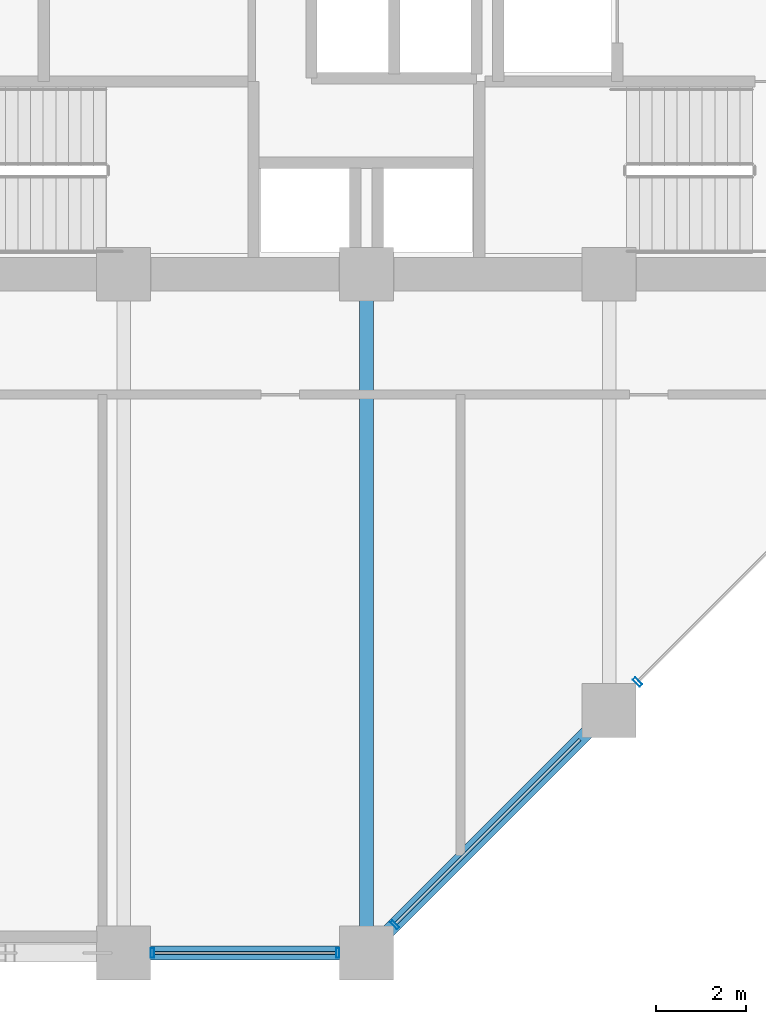
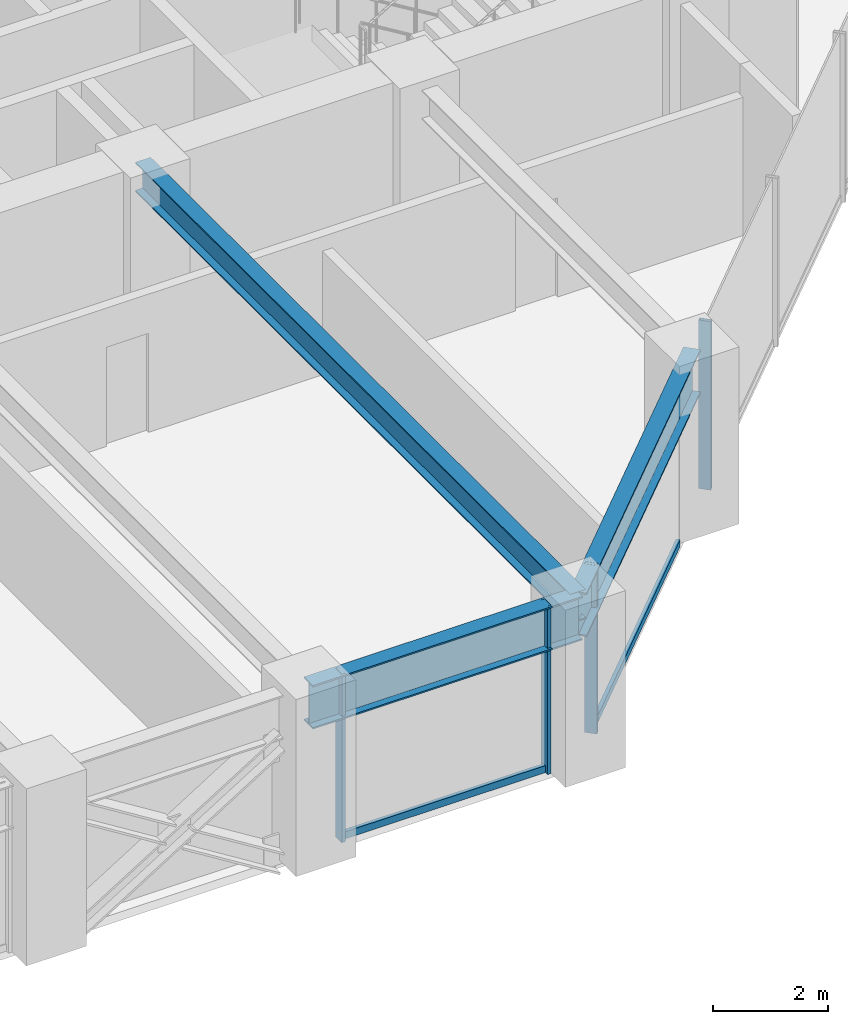
# One storey, part 7 of 28: 6 members, 3 beams, 2 elements without a shape of their own.
"""IFC4 building model written with IfcOpenShell, lengths in metres."""

from ifc_helpers import new_model, si_unit, direction, frame, origin, origin_2d, place, context, subcontext, project, spatial, hollow_rectangle, i_section, extrude, material, layer, layer_set, material_profile, profile_set, type_object, element, aggregate, save


model = new_model("IFC4")

# Units and contexts
model_context = context("Model", 3, precision=1e-05, world=origin(), true_north=direction((0.0, 1.0)))
body_context = subcontext(model_context, "Body", "Model", "MODEL_VIEW")
ifc_project = project(units=[si_unit("LENGTHUNIT", "METRE"), si_unit("AREAUNIT", "SQUARE_METRE"), si_unit("VOLUMEUNIT", "CUBIC_METRE"), si_unit("PLANEANGLEUNIT", "RADIAN"), si_unit("MASSUNIT", "GRAM", prefix="KILO")], contexts=[model_context])

# Site, building, storey
site_placement = place(None, origin())
site = spatial("IfcSite", under=ifc_project, at=site_placement, CompositionType="ELEMENT")
building_placement = place(site_placement, origin())
building = spatial("IfcBuilding", under=site, at=building_placement, Name="Surkhivell Harbour Commons", CompositionType="ELEMENT")
storey_placement = place(building_placement, frame((0.0, 0.0, 67.5)))
storey = spatial("IfcBuildingStorey", under=building, at=storey_placement, Name="L17", CompositionType="ELEMENT", Elevation=67.5)

# Beams
ifc_material_1 = material(Name="Steel S355", Category="steel")
ifc_material_profile_1 = material_profile(ifc_material_1, i_section(OverallWidth=0.306884765625, OverallDepth=0.6201171875, WebThickness=0.01416015625, FlangeThickness=0.023681640625, at=origin_2d()), Name="UB610x305x179")
ifc_profile_set_1 = profile_set([ifc_material_profile_1], Name="Steel S355")
beam_type_1 = type_object("IfcBeamType", Name="BM-GRD-610A", PredefinedType="BEAM", material=ifc_profile_set_1)
beam_1_placement = place(storey_placement, frame((0.0, -25.89990234375, 3.260009765625), z_axis=(0.0, 1.0, 0.0), x_axis=(-1.0, 0.0, 0.0)))
element("IfcBeam", 1, at=beam_1_placement, inside=storey, type_object=beam_type_1, Name="L17 Floor Girder (0.0,-25.9)", PredefinedType="BEAM", context=body_context, shape_type="SweptSolid", body=[
    extrude(i_section(OverallWidth=0.306884765625, OverallDepth=0.6201171875, WebThickness=0.01416015625, FlangeThickness=0.023681640625, at=origin_2d()), origin(), (0.0, 0.0, 1.0), 15.099853515625),
])
ifc_material_2 = material(Name="Steel S460", Category="steel")
ifc_material_profile_2 = material_profile(ifc_material_2, i_section(OverallWidth=0.30810546875, OverallDepth=0.927001953125, WebThickness=0.01953125, FlangeThickness=0.031982421875, at=origin_2d()), Name="UB914x305x289")
ifc_profile_set_2 = profile_set([ifc_material_profile_2], Name="Steel S460")
beam_type_2 = type_object("IfcBeamType", Name="BM-SPN-914B", PredefinedType="SPANDREL", material=ifc_profile_set_2)
beam_2_placement = place(storey_placement, frame((-5.39990234375, -25.89990234375, 3.1064453125), z_axis=(1.0, 0.0, 0.0), x_axis=(0.0, 1.0, 0.0)))
element("IfcBeam", 2, at=beam_2_placement, inside=storey, type_object=beam_type_2, Name="L17 Tube Spandrel (-5.4,-25.9)", PredefinedType="SPANDREL", context=body_context, shape_type="SweptSolid", body=[
    extrude(i_section(OverallWidth=0.30810546875, OverallDepth=0.927001953125, WebThickness=0.01953125, FlangeThickness=0.031982421875, at=origin_2d()), origin(), (0.0, 0.0, 1.0), 5.39990234375),
])
beam_3_placement = place(storey_placement, frame((0.0, -25.89990234375, 3.1064453125), z_axis=(0.707106781187, 0.707106781187, 0.0), x_axis=(-0.707106781187, 0.707106781187, 0.0)))
element("IfcBeam", 3, at=beam_3_placement, inside=storey, type_object=beam_type_2, Name="L17 Tube Spandrel (-0.0,-25.9)", PredefinedType="SPANDREL", context=body_context, shape_type="SweptSolid", body=[
    extrude(i_section(OverallWidth=0.30810546875, OverallDepth=0.927001953125, WebThickness=0.01953125, FlangeThickness=0.031982421875, at=origin_2d()), origin(), (0.0, 0.0, 1.0), 7.63671875),
])

# Curtain wall, members
ifc_material_3 = material(Name="Anodised pale-metal aluminium and insulated glazing", Category="aluminium")
ifc_layer = layer(ifc_material_3, 0.219970703125)
ifc_layer_set = layer_set([ifc_layer], Name="Anodised pale-metal aluminium and insulated glazing")
curtain_wall_type = type_object("IfcCurtainWallType", Name="CW-SYS-Z1", PredefinedType="NOTDEFINED", material=ifc_layer_set)
curtain_wall_1_placement = place(storey_placement, origin())
curtain_wall_1 = element("IfcCurtainWall", 4, at=curtain_wall_1_placement, inside=storey, type_object=curtain_wall_type, Name="L17 Curtain Wall CW-L17-E00S2", PredefinedType="NOTDEFINED")
ifc_material_4 = material(Name="Anodised pale-metal aluminium alloy 6063-T6", Category="aluminium")
ifc_material_profile_3 = material_profile(ifc_material_4, hollow_rectangle(XDim=0.074951171875, YDim=0.219970703125, WallThickness=0.00390625, at=origin_2d()), Name="ALU-MULL-75x220")
ifc_profile_set_3 = profile_set([ifc_material_profile_3], Name="Anodised pale-metal aluminium alloy 6063-T6")
member_type_1 = type_object("IfcMemberType", Name="CWM-220", PredefinedType="MULLION", material=ifc_profile_set_3)
member_1_placement = place(storey_placement, frame((-4.760498046875, -25.89990234375, 0.0), z_axis=(0.0, 0.0, 1.0), x_axis=(1.0, 0.0, 0.0)))
member_1 = element("IfcMember", 5, at=member_1_placement, type_object=member_type_1, Name="CW-Z1 mullion 1", PredefinedType="MULLION", context=body_context, shape_type="SweptSolid", body=[
    extrude(hollow_rectangle(XDim=0.074951171875, YDim=0.219970703125, WallThickness=0.00390625, at=origin_2d()), origin(), (0.0, 0.0, 1.0), 3.570068359375),
])
member_2_placement = place(storey_placement, frame((-0.639404296875, -25.89990234375, 0.0), z_axis=(0.0, 0.0, 1.0), x_axis=(1.0, 0.0, 0.0)))
member_2 = element("IfcMember", 6, at=member_2_placement, type_object=member_type_1, Name="CW-Z1 mullion 2", PredefinedType="MULLION", context=body_context, shape_type="SweptSolid", body=[
    extrude(hollow_rectangle(XDim=0.074951171875, YDim=0.219970703125, WallThickness=0.00390625, at=origin_2d()), origin(), (0.0, 0.0, 1.0), 3.570068359375),
])

curtain_wall_2_placement = place(storey_placement, origin())
curtain_wall_2 = element("IfcCurtainWall", 7, at=curtain_wall_2_placement, inside=storey, type_object=curtain_wall_type, Name="L17 Curtain Wall CW-L17-E01", PredefinedType="NOTDEFINED")
member_3_placement = place(storey_placement, frame((0.628173828125, -25.271728515625, 0.0), z_axis=(0.0, 0.0, 1.0), x_axis=(0.707106781187, 0.707106781187, 0.0)))
member_3 = element("IfcMember", 8, at=member_3_placement, type_object=member_type_1, Name="CW-Z1 mullion 1", PredefinedType="MULLION", context=body_context, shape_type="SweptSolid", body=[
    extrude(hollow_rectangle(XDim=0.074951171875, YDim=0.219970703125, WallThickness=0.00390625, at=origin_2d()), origin(), (0.0, 0.0, 1.0), 3.570068359375),
])
member_4_placement = place(storey_placement, frame((6.0283203125, -19.871826171875, 0.0), z_axis=(0.0, 0.0, 1.0), x_axis=(0.707106781187, 0.707106781187, 0.0)))
member_4 = element("IfcMember", 9, at=member_4_placement, type_object=member_type_1, Name="CW-Z1 mullion 2", PredefinedType="MULLION", context=body_context, shape_type="SweptSolid", body=[
    extrude(hollow_rectangle(XDim=0.074951171875, YDim=0.219970703125, WallThickness=0.00390625, at=origin_2d()), origin(), (0.0, 0.0, 1.0), 3.570068359375),
])

# Member
ifc_material_profile_4 = material_profile(ifc_material_4, hollow_rectangle(XDim=0.074951171875, YDim=0.14990234375, WallThickness=0.00341796875, at=origin_2d()), Name="ALU-TRAN-75x150")
ifc_profile_set_4 = profile_set([ifc_material_profile_4], Name="Anodised pale-metal aluminium alloy 6063-T6")
member_type_2 = type_object("IfcMemberType", Name="CWT-150", PredefinedType="USERDEFINED", material=ifc_profile_set_4)
member_5_placement = place(storey_placement, frame((-4.722900390625, -25.89990234375, 0.074951171875), z_axis=(1.0, 0.0, 0.0), x_axis=(0.0, 1.0, 0.0)))
member_5 = element("IfcMember", 10, at=member_5_placement, type_object=member_type_2, Name="CW-Z1 transom 1.1", ObjectType="TRANSOM", PredefinedType="USERDEFINED", context=body_context, shape_type="SweptSolid", body=[
    extrude(hollow_rectangle(XDim=0.074951171875, YDim=0.14990234375, WallThickness=0.00341796875, at=origin_2d()), origin(), (0.0, 0.0, 1.0), 4.0458984375),
])

aggregate(curtain_wall_1, [member_1, member_2, member_5])

member_6_placement = place(storey_placement, frame((0.65478515625, -25.2451171875, 0.074951171875), z_axis=(0.707106781187, 0.707106781187, 0.0), x_axis=(-0.707106781187, 0.707106781187, 0.0)))
member_6 = element("IfcMember", 11, at=member_6_placement, type_object=member_type_2, Name="CW-Z1 transom 1.1", ObjectType="TRANSOM", PredefinedType="USERDEFINED", context=body_context, shape_type="SweptSolid", body=[
    extrude(hollow_rectangle(XDim=0.074951171875, YDim=0.14990234375, WallThickness=0.00341796875, at=origin_2d()), origin(), (0.0, 0.0, 1.0), 5.78466796875),
])

aggregate(curtain_wall_2, [member_3, member_6, member_4])

save(model, "model.ifc")
